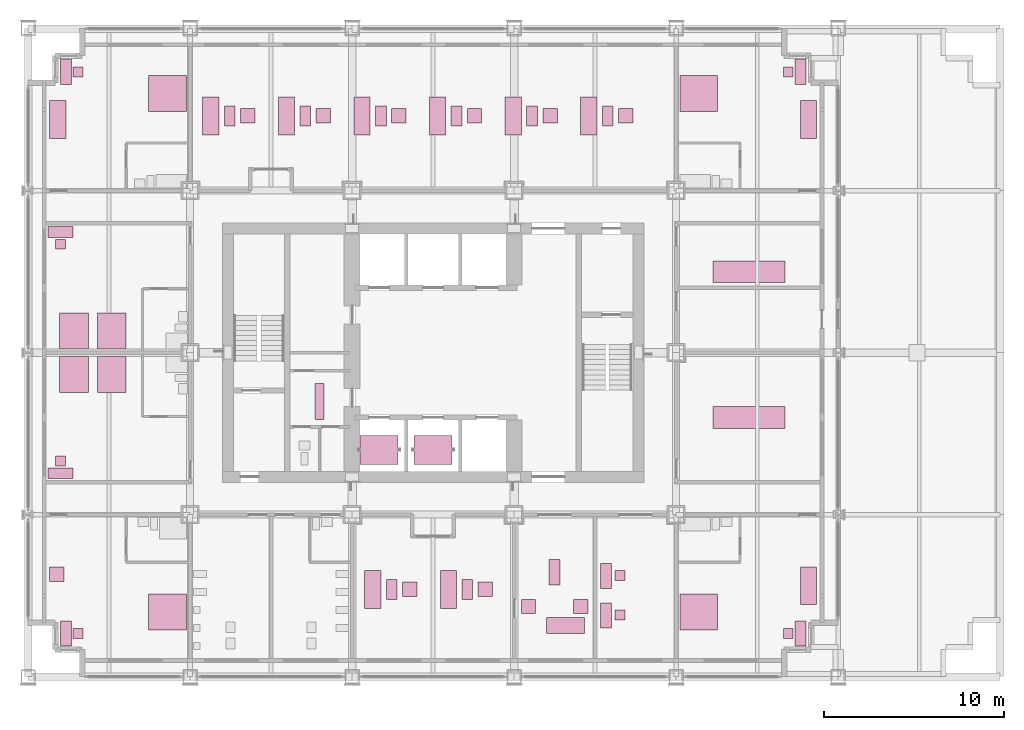
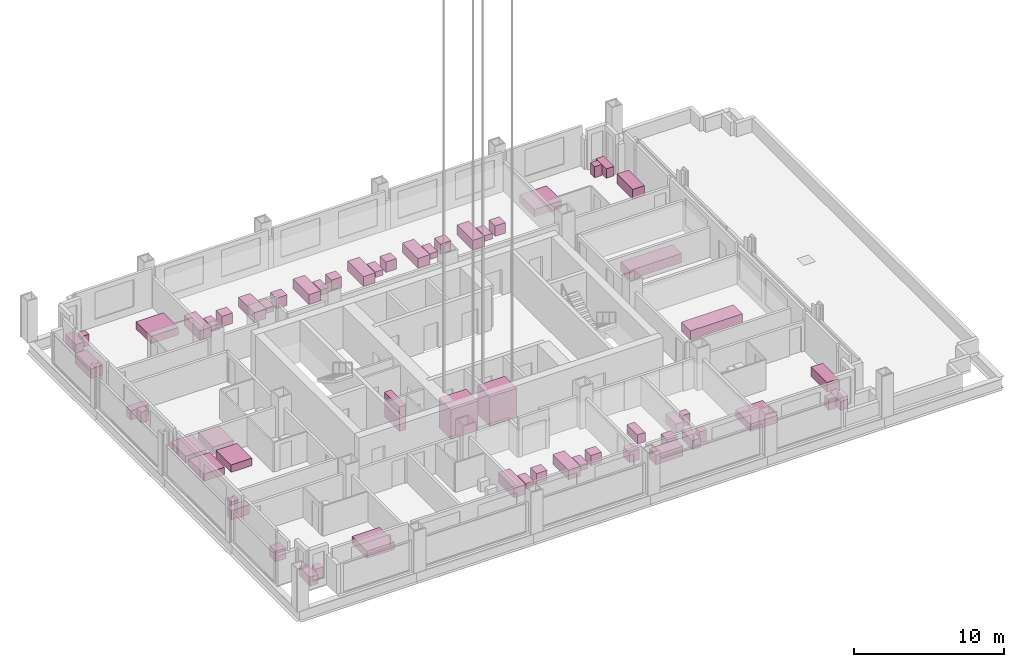
# One storey, part 18 of 19: 59 furniture elements, 2 transport elements.
"""IFC4 building model written with IfcOpenShell, lengths in metres."""

from ifc_helpers import new_model, si_unit, direction, frame, origin, origin_2d, place, context, subcontext, project, spatial, rectangle, extrude, material, type_object, element, save


model = new_model("IFC4")

# Units and contexts
model_context = context("Model", 3, precision=1e-05, world=origin(), true_north=direction((0.0, 1.0)))
body_context = subcontext(model_context, "Body", "Model", "MODEL_VIEW")
ifc_project = project(units=[si_unit("LENGTHUNIT", "METRE"), si_unit("AREAUNIT", "SQUARE_METRE"), si_unit("VOLUMEUNIT", "CUBIC_METRE"), si_unit("PLANEANGLEUNIT", "RADIAN"), si_unit("MASSUNIT", "GRAM", prefix="KILO")], contexts=[model_context])

# Site, building, storey
site_placement = place(None, origin())
site = spatial("IfcSite", under=ifc_project, at=site_placement, CompositionType="ELEMENT")
building_placement = place(site_placement, origin())
building = spatial("IfcBuilding", under=site, at=building_placement, Name="Loomwork Tower", CompositionType="ELEMENT")
storey_placement = place(building_placement, frame((0.0, 0.0, 94.199951171875)))
storey = spatial("IfcBuildingStorey", under=building, at=storey_placement, Name="L24", CompositionType="ELEMENT", Elevation=94.199951171875)

# Transport elements
ifc_material = material(Name="Steel lift car", Category="steel")
transport_element_type = type_object("IfcTransportElementType", Name="Passenger lift 1600 kg", PredefinedType="ELEVATOR", material=ifc_material)
for number, where, z_axis, x_axis, name in (
    (1, (19.5, 12.60009765625, -5.0), (0.0, 0.0, 1.0), (1.0, 0.0, 0.0), "Passenger lift LB1"),
    (2, (22.5, 12.60009765625, -5.0), (0.0, 0.0, 1.0), (1.0, 0.0, 0.0), "Passenger lift LB2"),
):
    element("IfcTransportElement", number, at=place(storey_placement, frame(where, z_axis=z_axis, x_axis=x_axis)), inside=storey, type_object=transport_element_type, Name=name, PredefinedType="ELEVATOR", context=body_context, shape_type="SweptSolid", body=[
        extrude(rectangle(XDim=2.10009765625, YDim=1.60009765625, at=origin_2d()), frame((0.0, 0.0, 5.0)), (0.0, 0.0, 1.0), 2.39990234375),
    ])

# Furniture
furniture_1_placement = place(storey_placement, frame((7.75, 3.60009765625, 0.0), z_axis=(0.0, 0.0, 1.0), x_axis=(1.0, 0.0, 0.0)))
element("IfcFurniture", 3, at=furniture_1_placement, inside=storey, Name="King bed L24", PredefinedType="BED", context=body_context, shape_type="SweptSolid", body=[
    extrude(rectangle(XDim=2.10009765625, YDim=2.0, at=origin_2d()), origin(), (0.0, 0.0, 1.0), 0.60009765625),
])
furniture_2_placement = place(storey_placement, frame((2.10009765625, 2.39990234375, 0.0), z_axis=(0.0, 0.0, 1.0), x_axis=(1.0, 0.0, 0.0)))
element("IfcFurniture", 4, at=furniture_2_placement, inside=storey, Name="Writing desk L24", PredefinedType="DESK", context=body_context, shape_type="SweptSolid", body=[
    extrude(rectangle(XDim=0.60009765625, YDim=1.39990234375, at=origin_2d()), origin(), (0.0, 0.0, 1.0), 0.75),
])
furniture_3_placement = place(storey_placement, frame((2.77490234375, 2.39990234375, 0.0), z_axis=(0.0, 0.0, 1.0), x_axis=(1.0, 0.0, 0.0)))
element("IfcFurniture", 5, at=furniture_3_placement, inside=storey, Name="Desk chair L24", PredefinedType="CHAIR", context=body_context, shape_type="SweptSolid", body=[
    extrude(rectangle(XDim=0.550048828125, YDim=0.550048828125, at=origin_2d()), origin(), (0.0, 0.0, 1.0), 0.89990234375),
])
furniture_4_placement = place(storey_placement, frame((1.60009765625, 5.699951171875, 0.0), z_axis=(0.0, 0.0, 1.0), x_axis=(1.0, 0.0, 0.0)))
element("IfcFurniture", 6, at=furniture_4_placement, inside=storey, Name="Lounge armchair L24", PredefinedType="CHAIR", context=body_context, shape_type="SweptSolid", body=[
    extrude(rectangle(XDim=0.800048828125, YDim=0.800048828125, at=origin_2d()), origin(), (0.0, 0.0, 1.0), 0.85009765625),
])
furniture_5_placement = place(storey_placement, frame((19.14990234375, 4.85009765625, 0.0), z_axis=(0.0, 0.0, 1.0), x_axis=(1.0, 0.0, 0.0)))
element("IfcFurniture", 7, at=furniture_5_placement, inside=storey, Name="Sofa L24", PredefinedType="SOFA", context=body_context, shape_type="SweptSolid", body=[
    extrude(rectangle(XDim=0.89990234375, YDim=2.10009765625, at=origin_2d()), origin(), (0.0, 0.0, 1.0), 0.800048828125),
])
furniture_6_placement = place(storey_placement, frame((20.199951171875, 4.85009765625, 0.0), z_axis=(0.0, 0.0, 1.0), x_axis=(1.0, 0.0, 0.0)))
element("IfcFurniture", 8, at=furniture_6_placement, inside=storey, Name="Coffee table L24", PredefinedType="TABLE", context=body_context, shape_type="SweptSolid", body=[
    extrude(rectangle(XDim=0.60009765625, YDim=1.10009765625, at=origin_2d()), origin(), (0.0, 0.0, 1.0), 0.449951171875),
])
furniture_7_placement = place(storey_placement, frame((21.199951171875, 4.85009765625, 0.0), z_axis=(0.0, 0.0, 1.0), x_axis=(1.0, 0.0, 0.0)))
element("IfcFurniture", 9, at=furniture_7_placement, inside=storey, Name="Lounge armchair L24", PredefinedType="CHAIR", context=body_context, shape_type="SweptSolid", body=[
    extrude(rectangle(XDim=0.800048828125, YDim=0.800048828125, at=origin_2d()), origin(), (0.0, 0.0, 1.0), 0.85009765625),
])
furniture_8_placement = place(storey_placement, frame((23.35009765625, 4.85009765625, 0.0), z_axis=(0.0, 0.0, 1.0), x_axis=(1.0, 0.0, 0.0)))
element("IfcFurniture", 10, at=furniture_8_placement, inside=storey, Name="Sofa L24", PredefinedType="SOFA", context=body_context, shape_type="SweptSolid", body=[
    extrude(rectangle(XDim=0.89990234375, YDim=2.10009765625, at=origin_2d()), origin(), (0.0, 0.0, 1.0), 0.800048828125),
])
furniture_9_placement = place(storey_placement, frame((24.39990234375, 4.85009765625, 0.0), z_axis=(0.0, 0.0, 1.0), x_axis=(1.0, 0.0, 0.0)))
element("IfcFurniture", 11, at=furniture_9_placement, inside=storey, Name="Coffee table L24", PredefinedType="TABLE", context=body_context, shape_type="SweptSolid", body=[
    extrude(rectangle(XDim=0.60009765625, YDim=1.10009765625, at=origin_2d()), origin(), (0.0, 0.0, 1.0), 0.449951171875),
])
furniture_10_placement = place(storey_placement, frame((25.39990234375, 4.85009765625, 0.0), z_axis=(0.0, 0.0, 1.0), x_axis=(1.0, 0.0, 0.0)))
element("IfcFurniture", 12, at=furniture_10_placement, inside=storey, Name="Lounge armchair L24", PredefinedType="CHAIR", context=body_context, shape_type="SweptSolid", body=[
    extrude(rectangle(XDim=0.800048828125, YDim=0.800048828125, at=origin_2d()), origin(), (0.0, 0.0, 1.0), 0.85009765625),
])
furniture_11_placement = place(storey_placement, frame((29.25, 5.800048828125, 0.0), z_axis=(0.0, 0.0, 1.0), x_axis=(1.0, 0.0, 0.0)))
element("IfcFurniture", 13, at=furniture_11_placement, inside=storey, Name="Writing desk L24", PredefinedType="DESK", context=body_context, shape_type="SweptSolid", body=[
    extrude(rectangle(XDim=0.60009765625, YDim=1.39990234375, at=origin_2d()), origin(), (0.0, 0.0, 1.0), 0.75),
])
for number, where, z_axis, x_axis, name in (
    (14, (27.800048828125, 3.89990234375, 0.0), (0.0, 0.0, 1.0), (1.0, 0.0, 0.0), "Lounge armchair L24"),
    (15, (30.699951171875, 3.89990234375, 0.0), (0.0, 0.0, 1.0), (1.0, 0.0, 0.0), "Lounge armchair L24"),
):
    element("IfcFurniture", number, at=place(storey_placement, frame(where, z_axis=z_axis, x_axis=x_axis)), inside=storey, Name=name, PredefinedType="CHAIR", context=body_context, shape_type="SweptSolid", body=[
        extrude(rectangle(XDim=0.800048828125, YDim=0.800048828125, at=origin_2d()), origin(), (0.0, 0.0, 1.0), 0.85009765625),
    ])
furniture_12_placement = place(storey_placement, frame((29.85009765625, 2.85009765625, 0.0), z_axis=(0.0, 0.0, 1.0), x_axis=(1.0, 0.0, 0.0)))
element("IfcFurniture", 16, at=furniture_12_placement, inside=storey, Name="Sofa L24", PredefinedType="SOFA", context=body_context, shape_type="SweptSolid", body=[
    extrude(rectangle(XDim=2.10009765625, YDim=0.89990234375, at=origin_2d()), origin(), (0.0, 0.0, 1.0), 0.800048828125),
])
furniture_13_placement = place(storey_placement, frame((32.10009765625, 5.60009765625, 0.0), z_axis=(0.0, 0.0, 1.0), x_axis=(1.0, 0.0, 0.0)))
element("IfcFurniture", 17, at=furniture_13_placement, inside=storey, Name="Writing desk L24", PredefinedType="DESK", context=body_context, shape_type="SweptSolid", body=[
    extrude(rectangle(XDim=0.60009765625, YDim=1.39990234375, at=origin_2d()), origin(), (0.0, 0.0, 1.0), 0.75),
])
furniture_14_placement = place(storey_placement, frame((32.875, 5.625, 0.0), z_axis=(0.0, 0.0, 1.0), x_axis=(1.0, 0.0, 0.0)))
element("IfcFurniture", 18, at=furniture_14_placement, inside=storey, Name="Desk chair L24", PredefinedType="CHAIR", context=body_context, shape_type="SweptSolid", body=[
    extrude(rectangle(XDim=0.550048828125, YDim=0.550048828125, at=origin_2d()), origin(), (0.0, 0.0, 1.0), 0.89990234375),
])
furniture_15_placement = place(storey_placement, frame((32.10009765625, 3.39990234375, 0.0), z_axis=(0.0, 0.0, 1.0), x_axis=(1.0, 0.0, 0.0)))
element("IfcFurniture", 19, at=furniture_15_placement, inside=storey, Name="Writing desk L24", PredefinedType="DESK", context=body_context, shape_type="SweptSolid", body=[
    extrude(rectangle(XDim=0.60009765625, YDim=1.39990234375, at=origin_2d()), origin(), (0.0, 0.0, 1.0), 0.75),
])
furniture_16_placement = place(storey_placement, frame((32.875, 3.425048828125, 0.0), z_axis=(0.0, 0.0, 1.0), x_axis=(1.0, 0.0, 0.0)))
element("IfcFurniture", 20, at=furniture_16_placement, inside=storey, Name="Desk chair L24", PredefinedType="CHAIR", context=body_context, shape_type="SweptSolid", body=[
    extrude(rectangle(XDim=0.550048828125, YDim=0.550048828125, at=origin_2d()), origin(), (0.0, 0.0, 1.0), 0.89990234375),
])
furniture_17_placement = place(storey_placement, frame((37.25, 3.60009765625, 0.0), z_axis=(0.0, 0.0, 1.0), x_axis=(1.0, 0.0, 0.0)))
element("IfcFurniture", 21, at=furniture_17_placement, inside=storey, Name="King bed L24", PredefinedType="BED", context=body_context, shape_type="SweptSolid", body=[
    extrude(rectangle(XDim=2.10009765625, YDim=2.0, at=origin_2d()), origin(), (0.0, 0.0, 1.0), 0.60009765625),
])
furniture_18_placement = place(storey_placement, frame((42.89990234375, 2.39990234375, 0.0), z_axis=(0.0, 0.0, 1.0), x_axis=(1.0, 0.0, 0.0)))
element("IfcFurniture", 22, at=furniture_18_placement, inside=storey, Name="Writing desk L24", PredefinedType="DESK", context=body_context, shape_type="SweptSolid", body=[
    extrude(rectangle(XDim=0.60009765625, YDim=1.39990234375, at=origin_2d()), origin(), (0.0, 0.0, 1.0), 0.75),
])
furniture_19_placement = place(storey_placement, frame((42.22509765625, 2.39990234375, 0.0), z_axis=(0.0, 0.0, 1.0), x_axis=(1.0, 0.0, 0.0)))
element("IfcFurniture", 23, at=furniture_19_placement, inside=storey, Name="Desk chair L24", PredefinedType="CHAIR", context=body_context, shape_type="SweptSolid", body=[
    extrude(rectangle(XDim=0.550048828125, YDim=0.550048828125, at=origin_2d()), origin(), (0.0, 0.0, 1.0), 0.89990234375),
])
furniture_20_placement = place(storey_placement, frame((43.35009765625, 5.050048828125, 0.0), z_axis=(0.0, 0.0, 1.0), x_axis=(1.0, 0.0, 0.0)))
element("IfcFurniture", 24, at=furniture_20_placement, inside=storey, Name="Sofa L24", PredefinedType="SOFA", context=body_context, shape_type="SweptSolid", body=[
    extrude(rectangle(XDim=0.89990234375, YDim=2.10009765625, at=origin_2d()), origin(), (0.0, 0.0, 1.0), 0.800048828125),
])
furniture_21_placement = place(storey_placement, frame((7.75, 32.39990234375, 0.0), z_axis=(0.0, 0.0, 1.0), x_axis=(1.0, 0.0, 0.0)))
element("IfcFurniture", 25, at=furniture_21_placement, inside=storey, Name="King bed L24", PredefinedType="BED", context=body_context, shape_type="SweptSolid", body=[
    extrude(rectangle(XDim=2.10009765625, YDim=2.0, at=origin_2d()), origin(), (0.0, 0.0, 1.0), 0.60009765625),
])
furniture_22_placement = place(storey_placement, frame((2.10009765625, 33.60009765625, 0.0), z_axis=(0.0, 0.0, 1.0), x_axis=(1.0, 0.0, 0.0)))
element("IfcFurniture", 26, at=furniture_22_placement, inside=storey, Name="Writing desk L24", PredefinedType="DESK", context=body_context, shape_type="SweptSolid", body=[
    extrude(rectangle(XDim=0.60009765625, YDim=1.39990234375, at=origin_2d()), origin(), (0.0, 0.0, 1.0), 0.75),
])
furniture_23_placement = place(storey_placement, frame((2.77490234375, 33.60009765625, 0.0), z_axis=(0.0, 0.0, 1.0), x_axis=(1.0, 0.0, 0.0)))
element("IfcFurniture", 27, at=furniture_23_placement, inside=storey, Name="Desk chair L24", PredefinedType="CHAIR", context=body_context, shape_type="SweptSolid", body=[
    extrude(rectangle(XDim=0.550048828125, YDim=0.550048828125, at=origin_2d()), origin(), (0.0, 0.0, 1.0), 0.89990234375),
])
for number, where, z_axis, x_axis, name in (
    (28, (1.64990234375, 30.949951171875, 0.0), (0.0, 0.0, 1.0), (1.0, 0.0, 0.0), "Sofa L24"),
    (29, (10.14990234375, 31.14990234375, 0.0), (0.0, 0.0, 1.0), (1.0, 0.0, 0.0), "Sofa L24"),
):
    element("IfcFurniture", number, at=place(storey_placement, frame(where, z_axis=z_axis, x_axis=x_axis)), inside=storey, Name=name, PredefinedType="SOFA", context=body_context, shape_type="SweptSolid", body=[
        extrude(rectangle(XDim=0.89990234375, YDim=2.10009765625, at=origin_2d()), origin(), (0.0, 0.0, 1.0), 0.800048828125),
    ])
furniture_24_placement = place(storey_placement, frame((11.199951171875, 31.14990234375, 0.0), z_axis=(0.0, 0.0, 1.0), x_axis=(1.0, 0.0, 0.0)))
element("IfcFurniture", 30, at=furniture_24_placement, inside=storey, Name="Coffee table L24", PredefinedType="TABLE", context=body_context, shape_type="SweptSolid", body=[
    extrude(rectangle(XDim=0.60009765625, YDim=1.10009765625, at=origin_2d()), origin(), (0.0, 0.0, 1.0), 0.449951171875),
])
furniture_25_placement = place(storey_placement, frame((12.199951171875, 31.14990234375, 0.0), z_axis=(0.0, 0.0, 1.0), x_axis=(1.0, 0.0, 0.0)))
element("IfcFurniture", 31, at=furniture_25_placement, inside=storey, Name="Lounge armchair L24", PredefinedType="CHAIR", context=body_context, shape_type="SweptSolid", body=[
    extrude(rectangle(XDim=0.800048828125, YDim=0.800048828125, at=origin_2d()), origin(), (0.0, 0.0, 1.0), 0.85009765625),
])
furniture_26_placement = place(storey_placement, frame((14.35009765625, 31.14990234375, 0.0), z_axis=(0.0, 0.0, 1.0), x_axis=(1.0, 0.0, 0.0)))
element("IfcFurniture", 32, at=furniture_26_placement, inside=storey, Name="Sofa L24", PredefinedType="SOFA", context=body_context, shape_type="SweptSolid", body=[
    extrude(rectangle(XDim=0.89990234375, YDim=2.10009765625, at=origin_2d()), origin(), (0.0, 0.0, 1.0), 0.800048828125),
])
furniture_27_placement = place(storey_placement, frame((15.39990234375, 31.14990234375, 0.0), z_axis=(0.0, 0.0, 1.0), x_axis=(1.0, 0.0, 0.0)))
element("IfcFurniture", 33, at=furniture_27_placement, inside=storey, Name="Coffee table L24", PredefinedType="TABLE", context=body_context, shape_type="SweptSolid", body=[
    extrude(rectangle(XDim=0.60009765625, YDim=1.10009765625, at=origin_2d()), origin(), (0.0, 0.0, 1.0), 0.449951171875),
])
furniture_28_placement = place(storey_placement, frame((16.39990234375, 31.14990234375, 0.0), z_axis=(0.0, 0.0, 1.0), x_axis=(1.0, 0.0, 0.0)))
element("IfcFurniture", 34, at=furniture_28_placement, inside=storey, Name="Lounge armchair L24", PredefinedType="CHAIR", context=body_context, shape_type="SweptSolid", body=[
    extrude(rectangle(XDim=0.800048828125, YDim=0.800048828125, at=origin_2d()), origin(), (0.0, 0.0, 1.0), 0.85009765625),
])
furniture_29_placement = place(storey_placement, frame((18.550048828125, 31.14990234375, 0.0), z_axis=(0.0, 0.0, 1.0), x_axis=(1.0, 0.0, 0.0)))
element("IfcFurniture", 35, at=furniture_29_placement, inside=storey, Name="Sofa L24", PredefinedType="SOFA", context=body_context, shape_type="SweptSolid", body=[
    extrude(rectangle(XDim=0.89990234375, YDim=2.10009765625, at=origin_2d()), origin(), (0.0, 0.0, 1.0), 0.800048828125),
])
furniture_30_placement = place(storey_placement, frame((19.60009765625, 31.14990234375, 0.0), z_axis=(0.0, 0.0, 1.0), x_axis=(1.0, 0.0, 0.0)))
element("IfcFurniture", 36, at=furniture_30_placement, inside=storey, Name="Coffee table L24", PredefinedType="TABLE", context=body_context, shape_type="SweptSolid", body=[
    extrude(rectangle(XDim=0.60009765625, YDim=1.10009765625, at=origin_2d()), origin(), (0.0, 0.0, 1.0), 0.449951171875),
])
furniture_31_placement = place(storey_placement, frame((20.60009765625, 31.14990234375, 0.0), z_axis=(0.0, 0.0, 1.0), x_axis=(1.0, 0.0, 0.0)))
element("IfcFurniture", 37, at=furniture_31_placement, inside=storey, Name="Lounge armchair L24", PredefinedType="CHAIR", context=body_context, shape_type="SweptSolid", body=[
    extrude(rectangle(XDim=0.800048828125, YDim=0.800048828125, at=origin_2d()), origin(), (0.0, 0.0, 1.0), 0.85009765625),
])
furniture_32_placement = place(storey_placement, frame((22.75, 31.14990234375, 0.0), z_axis=(0.0, 0.0, 1.0), x_axis=(1.0, 0.0, 0.0)))
element("IfcFurniture", 38, at=furniture_32_placement, inside=storey, Name="Sofa L24", PredefinedType="SOFA", context=body_context, shape_type="SweptSolid", body=[
    extrude(rectangle(XDim=0.89990234375, YDim=2.10009765625, at=origin_2d()), origin(), (0.0, 0.0, 1.0), 0.800048828125),
])
furniture_33_placement = place(storey_placement, frame((23.800048828125, 31.14990234375, 0.0), z_axis=(0.0, 0.0, 1.0), x_axis=(1.0, 0.0, 0.0)))
element("IfcFurniture", 39, at=furniture_33_placement, inside=storey, Name="Coffee table L24", PredefinedType="TABLE", context=body_context, shape_type="SweptSolid", body=[
    extrude(rectangle(XDim=0.60009765625, YDim=1.10009765625, at=origin_2d()), origin(), (0.0, 0.0, 1.0), 0.449951171875),
])
furniture_34_placement = place(storey_placement, frame((24.800048828125, 31.14990234375, 0.0), z_axis=(0.0, 0.0, 1.0), x_axis=(1.0, 0.0, 0.0)))
element("IfcFurniture", 40, at=furniture_34_placement, inside=storey, Name="Lounge armchair L24", PredefinedType="CHAIR", context=body_context, shape_type="SweptSolid", body=[
    extrude(rectangle(XDim=0.800048828125, YDim=0.800048828125, at=origin_2d()), origin(), (0.0, 0.0, 1.0), 0.85009765625),
])
furniture_35_placement = place(storey_placement, frame((26.949951171875, 31.14990234375, 0.0), z_axis=(0.0, 0.0, 1.0), x_axis=(1.0, 0.0, 0.0)))
element("IfcFurniture", 41, at=furniture_35_placement, inside=storey, Name="Sofa L24", PredefinedType="SOFA", context=body_context, shape_type="SweptSolid", body=[
    extrude(rectangle(XDim=0.89990234375, YDim=2.10009765625, at=origin_2d()), origin(), (0.0, 0.0, 1.0), 0.800048828125),
])
furniture_36_placement = place(storey_placement, frame((28.0, 31.14990234375, 0.0), z_axis=(0.0, 0.0, 1.0), x_axis=(1.0, 0.0, 0.0)))
element("IfcFurniture", 42, at=furniture_36_placement, inside=storey, Name="Coffee table L24", PredefinedType="TABLE", context=body_context, shape_type="SweptSolid", body=[
    extrude(rectangle(XDim=0.60009765625, YDim=1.10009765625, at=origin_2d()), origin(), (0.0, 0.0, 1.0), 0.449951171875),
])
furniture_37_placement = place(storey_placement, frame((29.0, 31.14990234375, 0.0), z_axis=(0.0, 0.0, 1.0), x_axis=(1.0, 0.0, 0.0)))
element("IfcFurniture", 43, at=furniture_37_placement, inside=storey, Name="Lounge armchair L24", PredefinedType="CHAIR", context=body_context, shape_type="SweptSolid", body=[
    extrude(rectangle(XDim=0.800048828125, YDim=0.800048828125, at=origin_2d()), origin(), (0.0, 0.0, 1.0), 0.85009765625),
])
furniture_38_placement = place(storey_placement, frame((31.14990234375, 31.14990234375, 0.0), z_axis=(0.0, 0.0, 1.0), x_axis=(1.0, 0.0, 0.0)))
element("IfcFurniture", 44, at=furniture_38_placement, inside=storey, Name="Sofa L24", PredefinedType="SOFA", context=body_context, shape_type="SweptSolid", body=[
    extrude(rectangle(XDim=0.89990234375, YDim=2.10009765625, at=origin_2d()), origin(), (0.0, 0.0, 1.0), 0.800048828125),
])
furniture_39_placement = place(storey_placement, frame((32.199951171875, 31.14990234375, 0.0), z_axis=(0.0, 0.0, 1.0), x_axis=(1.0, 0.0, 0.0)))
element("IfcFurniture", 45, at=furniture_39_placement, inside=storey, Name="Coffee table L24", PredefinedType="TABLE", context=body_context, shape_type="SweptSolid", body=[
    extrude(rectangle(XDim=0.60009765625, YDim=1.10009765625, at=origin_2d()), origin(), (0.0, 0.0, 1.0), 0.449951171875),
])
furniture_40_placement = place(storey_placement, frame((33.199951171875, 31.14990234375, 0.0), z_axis=(0.0, 0.0, 1.0), x_axis=(1.0, 0.0, 0.0)))
element("IfcFurniture", 46, at=furniture_40_placement, inside=storey, Name="Lounge armchair L24", PredefinedType="CHAIR", context=body_context, shape_type="SweptSolid", body=[
    extrude(rectangle(XDim=0.800048828125, YDim=0.800048828125, at=origin_2d()), origin(), (0.0, 0.0, 1.0), 0.85009765625),
])
furniture_41_placement = place(storey_placement, frame((37.25, 32.39990234375, 0.0), z_axis=(0.0, 0.0, 1.0), x_axis=(1.0, 0.0, 0.0)))
element("IfcFurniture", 47, at=furniture_41_placement, inside=storey, Name="King bed L24", PredefinedType="BED", context=body_context, shape_type="SweptSolid", body=[
    extrude(rectangle(XDim=2.10009765625, YDim=2.0, at=origin_2d()), origin(), (0.0, 0.0, 1.0), 0.60009765625),
])
furniture_42_placement = place(storey_placement, frame((42.89990234375, 33.60009765625, 0.0), z_axis=(0.0, 0.0, 1.0), x_axis=(1.0, 0.0, 0.0)))
element("IfcFurniture", 48, at=furniture_42_placement, inside=storey, Name="Writing desk L24", PredefinedType="DESK", context=body_context, shape_type="SweptSolid", body=[
    extrude(rectangle(XDim=0.60009765625, YDim=1.39990234375, at=origin_2d()), origin(), (0.0, 0.0, 1.0), 0.75),
])
furniture_43_placement = place(storey_placement, frame((42.22509765625, 33.60009765625, 0.0), z_axis=(0.0, 0.0, 1.0), x_axis=(1.0, 0.0, 0.0)))
element("IfcFurniture", 49, at=furniture_43_placement, inside=storey, Name="Desk chair L24", PredefinedType="CHAIR", context=body_context, shape_type="SweptSolid", body=[
    extrude(rectangle(XDim=0.550048828125, YDim=0.550048828125, at=origin_2d()), origin(), (0.0, 0.0, 1.0), 0.89990234375),
])
furniture_44_placement = place(storey_placement, frame((43.35009765625, 30.949951171875, 0.0), z_axis=(0.0, 0.0, 1.0), x_axis=(1.0, 0.0, 0.0)))
element("IfcFurniture", 50, at=furniture_44_placement, inside=storey, Name="Sofa L24", PredefinedType="SOFA", context=body_context, shape_type="SweptSolid", body=[
    extrude(rectangle(XDim=0.89990234375, YDim=2.10009765625, at=origin_2d()), origin(), (0.0, 0.0, 1.0), 0.800048828125),
])
for number, where, z_axis, x_axis, name in (
    (51, (4.64990234375, 16.800048828125, 0.0), (0.0, 0.0, 1.0), (1.0, 0.0, 0.0), "Queen bed L24"),
    (52, (2.550048828125, 16.800048828125, 0.0), (0.0, 0.0, 1.0), (1.0, 0.0, 0.0), "Queen bed L24"),
):
    element("IfcFurniture", number, at=place(storey_placement, frame(where, z_axis=z_axis, x_axis=x_axis)), inside=storey, Name=name, PredefinedType="BED", context=body_context, shape_type="SweptSolid", body=[
        extrude(rectangle(XDim=1.60009765625, YDim=2.0, at=origin_2d()), origin(), (0.0, 0.0, 1.0), 0.60009765625),
    ])
furniture_45_placement = place(storey_placement, frame((1.800048828125, 11.300048828125, 0.0), z_axis=(0.0, 0.0, 1.0), x_axis=(1.0, 0.0, 0.0)))
element("IfcFurniture", 53, at=furniture_45_placement, inside=storey, Name="Writing desk L24", PredefinedType="DESK", context=body_context, shape_type="SweptSolid", body=[
    extrude(rectangle(XDim=1.39990234375, YDim=0.60009765625, at=origin_2d()), origin(), (0.0, 0.0, 1.0), 0.75),
])
furniture_46_placement = place(storey_placement, frame((1.800048828125, 11.97509765625, 0.0), z_axis=(0.0, 0.0, 1.0), x_axis=(1.0, 0.0, 0.0)))
element("IfcFurniture", 54, at=furniture_46_placement, inside=storey, Name="Desk chair L24", PredefinedType="CHAIR", context=body_context, shape_type="SweptSolid", body=[
    extrude(rectangle(XDim=0.550048828125, YDim=0.550048828125, at=origin_2d()), origin(), (0.0, 0.0, 1.0), 0.89990234375),
])
for number, where, z_axis, x_axis, name in (
    (55, (4.64990234375, 19.199951171875, 0.0), (0.0, 0.0, 1.0), (1.0, 0.0, 0.0), "Queen bed L24"),
    (56, (2.550048828125, 19.199951171875, 0.0), (0.0, 0.0, 1.0), (1.0, 0.0, 0.0), "Queen bed L24"),
):
    element("IfcFurniture", number, at=place(storey_placement, frame(where, z_axis=z_axis, x_axis=x_axis)), inside=storey, Name=name, PredefinedType="BED", context=body_context, shape_type="SweptSolid", body=[
        extrude(rectangle(XDim=1.60009765625, YDim=2.0, at=origin_2d()), origin(), (0.0, 0.0, 1.0), 0.60009765625),
    ])
furniture_47_placement = place(storey_placement, frame((1.800048828125, 24.699951171875, 0.0), z_axis=(0.0, 0.0, 1.0), x_axis=(1.0, 0.0, 0.0)))
element("IfcFurniture", 57, at=furniture_47_placement, inside=storey, Name="Writing desk L24", PredefinedType="DESK", context=body_context, shape_type="SweptSolid", body=[
    extrude(rectangle(XDim=1.39990234375, YDim=0.60009765625, at=origin_2d()), origin(), (0.0, 0.0, 1.0), 0.75),
])
furniture_48_placement = place(storey_placement, frame((1.800048828125, 24.02490234375, 0.0), z_axis=(0.0, 0.0, 1.0), x_axis=(1.0, 0.0, 0.0)))
element("IfcFurniture", 58, at=furniture_48_placement, inside=storey, Name="Desk chair L24", PredefinedType="CHAIR", context=body_context, shape_type="SweptSolid", body=[
    extrude(rectangle(XDim=0.550048828125, YDim=0.550048828125, at=origin_2d()), origin(), (0.0, 0.0, 1.0), 0.89990234375),
])
for number, where, z_axis, x_axis, name in (
    (59, (40.050048828125, 14.39990234375, 0.0), (0.0, 0.0, 1.0), (1.0, 0.0, 0.0), "Meeting table L24"),
    (60, (40.050048828125, 22.5, 0.0), (0.0, 0.0, 1.0), (1.0, 0.0, 0.0), "Meeting table L24"),
):
    element("IfcFurniture", number, at=place(storey_placement, frame(where, z_axis=z_axis, x_axis=x_axis)), inside=storey, Name=name, PredefinedType="TABLE", context=body_context, shape_type="SweptSolid", body=[
        extrude(rectangle(XDim=4.0, YDim=1.199951171875, at=origin_2d()), origin(), (0.0, 0.0, 1.0), 0.75),
    ])
furniture_49_placement = place(storey_placement, frame((16.199951171875, 15.300048828125, 0.0), z_axis=(0.0, 0.0, 1.0), x_axis=(1.0, 0.0, 0.0)))
element("IfcFurniture", 61, at=furniture_49_placement, inside=storey, Name="Linen shelving L24", PredefinedType="SHELF", context=body_context, shape_type="SweptSolid", body=[
    extrude(rectangle(XDim=0.5, YDim=2.0, at=origin_2d()), origin(), (0.0, 0.0, 1.0), 2.0),
])

save(model, "model.ifc")
